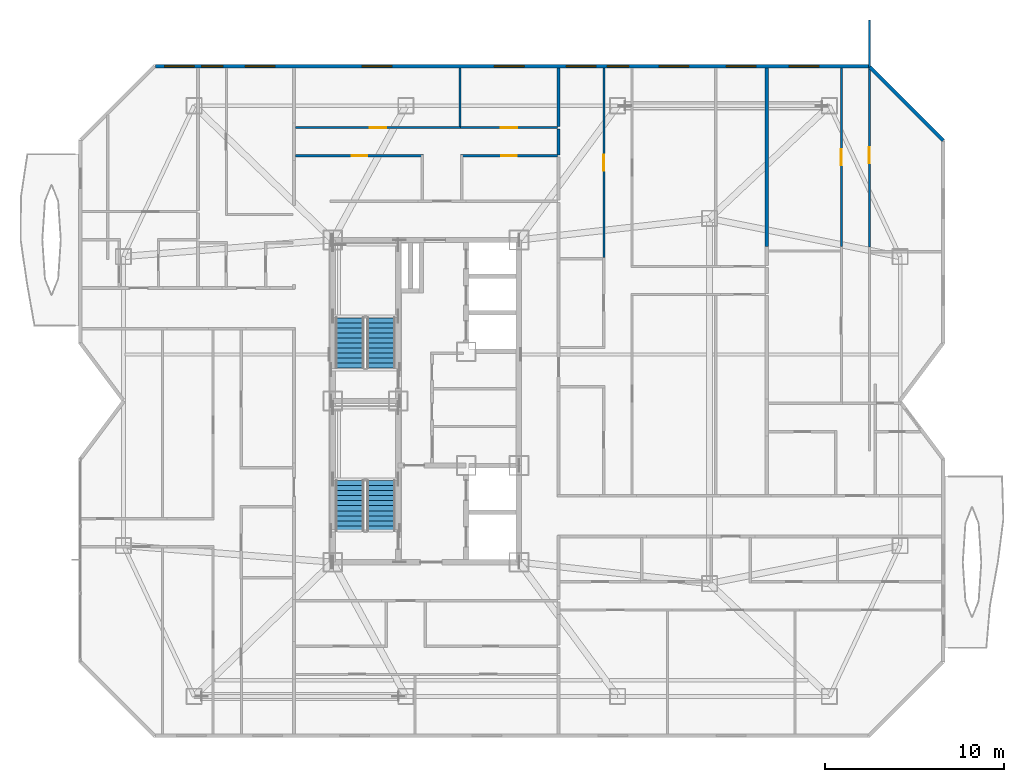
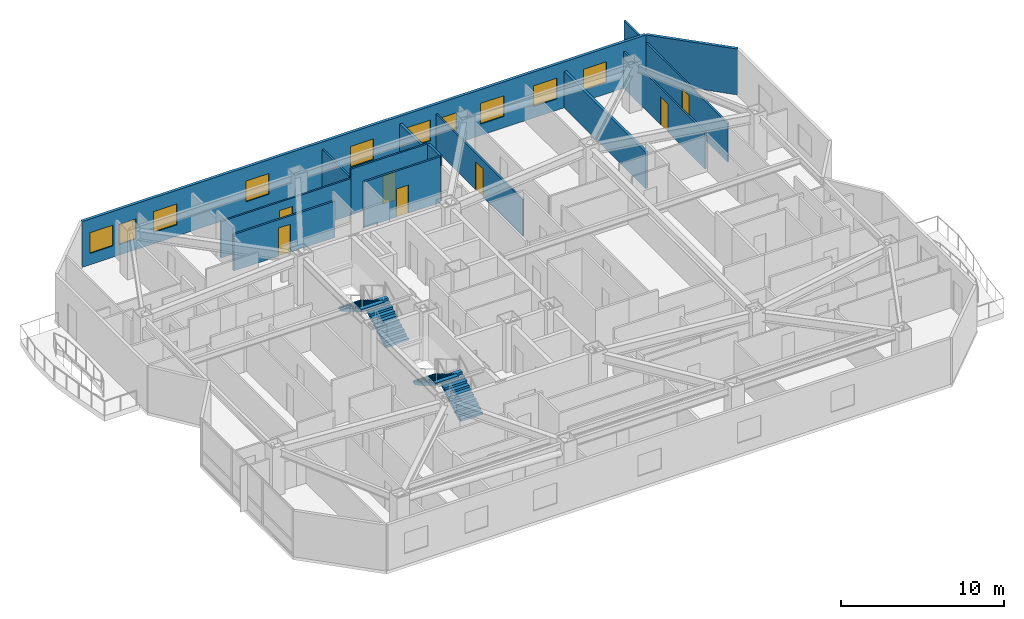
# One storey, part 14 of 16: 13 walls, 10 windows, 7 doors, 4 stair flights, 17 openings, 2 elements without a shape of their own.
"""IFC4 building model written with IfcOpenShell, lengths in metres."""

from ifc_helpers import new_model, si_unit, direction, frame, frame_2d, origin, place, context, subcontext, project, spatial, polyline, rectangle, outline, extrude, material, layer, layer_set, type_object, element, fill, aggregate, save


model = new_model("IFC4")

# Units and contexts
model_context = context("Model", 3, precision=1e-05, world=origin(), true_north=direction((0.0, 1.0)))
body_context = subcontext(model_context, "Body", "Model", "MODEL_VIEW")
ifc_project = project(units=[si_unit("LENGTHUNIT", "METRE"), si_unit("AREAUNIT", "SQUARE_METRE"), si_unit("VOLUMEUNIT", "CUBIC_METRE"), si_unit("PLANEANGLEUNIT", "RADIAN"), si_unit("MASSUNIT", "GRAM", prefix="KILO")], contexts=[model_context])

# Site, building, storey
site_placement = place(None, origin())
site = spatial("IfcSite", under=ifc_project, at=site_placement, CompositionType="ELEMENT")
building_placement = place(site_placement, origin())
building = spatial("IfcBuilding", under=site, at=building_placement, Name="Khamvora Tower", CompositionType="ELEMENT")
storey_placement = place(building_placement, frame((0.0, 0.0, 170.5)))
storey = spatial("IfcBuildingStorey", under=building, at=storey_placement, Name="L43", CompositionType="ELEMENT", Elevation=170.5)

# Walls
ifc_material_1 = material(Name="Acoustic Double-Stud Fire Wall", Category="gypsum")
ifc_layer_1 = layer(ifc_material_1, 0.179931640625)
ifc_layer_set_1 = layer_set([ifc_layer_1], Name="Acoustic Double-Stud Fire Wall")
wall_type_1 = type_object("IfcWallType", Name="WAL-CORR-180", PredefinedType="STANDARD", material=ifc_layer_set_1)
wall_1_placement = place(storey_placement, frame((41.614990234375, 43.2099609375, 0.0), z_axis=(0.0, 0.0, 1.0), x_axis=(0.0, -1.0, 0.0)))
element("IfcWall", 1, at=wall_1_placement, inside=storey, type_object=wall_type_1, Name="L43 interior partition wall 098", PredefinedType="STANDARD", context=body_context, shape_type="SweptSolid", body=[
    extrude(rectangle(XDim=1.449951171875, YDim=0.179931640625, at=frame_2d((0.72509765625, 0.0))), origin(), (0.0, 0.0, 1.0), 3.429931640625),
])
wall_2_placement = place(storey_placement, frame((41.614990234375, 46.60791015625, 0.0), z_axis=(0.0, 0.0, 1.0), x_axis=(0.0, -1.0, 0.0)))
element("IfcWall", 2, at=wall_2_placement, inside=storey, type_object=wall_type_1, Name="L43 interior partition wall 101", PredefinedType="STANDARD", context=body_context, shape_type="SweptSolid", body=[
    extrude(rectangle(XDim=3.267822265625, YDim=0.179931640625, at=frame_2d((1.6337890625, 0.0))), origin(), (0.0, 0.0, 1.0), 2.8759765625),
])
wall_3_placement = place(storey_placement, frame((53.240966796875, 46.60791015625, 0.0), z_axis=(0.0, 0.0, 1.0), x_axis=(0.0, -1.0, 0.0)))
element("IfcWall", 3, at=wall_3_placement, inside=storey, type_object=wall_type_1, Name="L43 interior partition wall 134", PredefinedType="STANDARD", context=body_context, shape_type="SweptSolid", body=[
    extrude(rectangle(XDim=9.972900390625, YDim=0.179931640625, at=frame_2d((4.986328125, 0.0))), origin(), (0.0, 0.0, 1.0), 2.72509765625),
])

# Wall, openings, windows
ifc_material_2 = material(Name="Precast concrete C40/50", Category="concrete")
ifc_layer_2 = layer(ifc_material_2, 0.199951171875)
ifc_layer_set_2 = layer_set([ifc_layer_2], Name="Precast concrete C40/50")
wall_type_2 = type_object("IfcWallType", Name="WAL-EXT-200", PredefinedType="STANDARD", material=ifc_layer_set_2)
wall_4_placement = place(storey_placement, frame((19.10205078125, 46.699951171875, 0.0), z_axis=(0.0, 0.0, 1.0), x_axis=(1.0, 0.0, 0.0)))
wall_4 = element("IfcWall", 4, at=wall_4_placement, inside=storey, type_object=wall_type_2, Name="L43 exterior facade wall 07.1", PredefinedType="STANDARD", context=body_context, shape_type="SweptSolid", body=[
    extrude(rectangle(XDim=39.85693359375, YDim=0.199951171875, at=frame_2d((19.928466796875, 0.0))), origin(), (0.0, 0.0, 1.0), 3.429931640625),
])
opening_1_placement = place(wall_4_placement, frame((0.50390625, 0.0, 0.85009765625)))
opening_1 = element("IfcOpeningElement", 5, at=opening_1_placement, cuts=wall_4, Name="Opening WN-06", PredefinedType="OPENING", context=body_context, shape_type="SweptSolid", body=[
    extrude(rectangle(XDim=1.64990234375, YDim=1.550048828125, at=frame_2d((0.824951171875, 0.77490234375))), frame((0.0, 0.10986328125, 0.0), z_axis=(0.0, -1.0, 0.0), x_axis=(1.0, 0.0, 0.0)), (0.0, 0.0, 1.0), 0.219970703125),
])
opening_2_placement = place(wall_4_placement, frame((2.56298828125, 0.0, 0.800048828125)))
opening_2 = element("IfcOpeningElement", 6, at=opening_2_placement, cuts=wall_4, Name="Opening WN-03", PredefinedType="OPENING", context=body_context, shape_type="SweptSolid", body=[
    extrude(rectangle(XDim=1.199951171875, YDim=1.5, at=frame_2d((0.60009765625, 0.75))), frame((0.0, 0.10986328125, 0.0), z_axis=(0.0, -1.0, 0.0), x_axis=(1.0, 0.0, 0.0)), (0.0, 0.0, 1.0), 0.219970703125),
])
opening_3_placement = place(wall_4_placement, frame((5.01806640625, 0.0, 0.85009765625)))
opening_3 = element("IfcOpeningElement", 7, at=opening_3_placement, cuts=wall_4, Name="Opening WN-06", PredefinedType="OPENING", context=body_context, shape_type="SweptSolid", body=[
    extrude(rectangle(XDim=1.64990234375, YDim=1.550048828125, at=frame_2d((0.824951171875, 0.77490234375))), frame((0.0, 0.10986328125, 0.0), z_axis=(0.0, -1.0, 0.0), x_axis=(1.0, 0.0, 0.0)), (0.0, 0.0, 1.0), 0.219970703125),
])
opening_4_placement = place(wall_4_placement, frame((11.5419921875, 0.0, 0.85009765625)))
opening_4 = element("IfcOpeningElement", 8, at=opening_4_placement, cuts=wall_4, Name="Opening WN-06", PredefinedType="OPENING", context=body_context, shape_type="SweptSolid", body=[
    extrude(rectangle(XDim=1.64990234375, YDim=1.550048828125, at=frame_2d((0.824951171875, 0.77490234375))), frame((0.0, 0.10986328125, 0.0), z_axis=(0.0, -1.0, 0.0), x_axis=(1.0, 0.0, 0.0)), (0.0, 0.0, 1.0), 0.219970703125),
])
opening_5_placement = place(wall_4_placement, frame((18.931884765625, 0.0, 0.85009765625)))
opening_5 = element("IfcOpeningElement", 9, at=opening_5_placement, cuts=wall_4, Name="Opening WN-06", PredefinedType="OPENING", context=body_context, shape_type="SweptSolid", body=[
    extrude(rectangle(XDim=1.64990234375, YDim=1.550048828125, at=frame_2d((0.824951171875, 0.77490234375))), frame((0.0, 0.10986328125, 0.0), z_axis=(0.0, -1.0, 0.0), x_axis=(1.0, 0.0, 0.0)), (0.0, 0.0, 1.0), 0.219970703125),
])
opening_6_placement = place(wall_4_placement, frame((22.952880859375, 0.0, 0.85009765625)))
opening_6 = element("IfcOpeningElement", 10, at=opening_6_placement, cuts=wall_4, Name="Opening WN-06", PredefinedType="OPENING", context=body_context, shape_type="SweptSolid", body=[
    extrude(rectangle(XDim=1.64990234375, YDim=1.550048828125, at=frame_2d((0.824951171875, 0.77490234375))), frame((0.0, 0.10986328125, 0.0), z_axis=(0.0, -1.0, 0.0), x_axis=(1.0, 0.0, 0.0)), (0.0, 0.0, 1.0), 0.219970703125),
])
opening_7_placement = place(wall_4_placement, frame((25.23291015625, 0.0, 0.800048828125)))
opening_7 = element("IfcOpeningElement", 11, at=opening_7_placement, cuts=wall_4, Name="Opening WN-03", PredefinedType="OPENING", context=body_context, shape_type="SweptSolid", body=[
    extrude(rectangle(XDim=1.199951171875, YDim=1.5, at=frame_2d((0.60009765625, 0.75))), frame((0.0, 0.10986328125, 0.0), z_axis=(0.0, -1.0, 0.0), x_axis=(1.0, 0.0, 0.0)), (0.0, 0.0, 1.0), 0.219970703125),
])
opening_8_placement = place(wall_4_placement, frame((28.135009765625, 0.0, 0.85009765625)))
opening_8 = element("IfcOpeningElement", 12, at=opening_8_placement, cuts=wall_4, Name="Opening WN-06", PredefinedType="OPENING", context=body_context, shape_type="SweptSolid", body=[
    extrude(rectangle(XDim=1.64990234375, YDim=1.550048828125, at=frame_2d((0.824951171875, 0.77490234375))), frame((0.0, 0.10986328125, 0.0), z_axis=(0.0, -1.0, 0.0), x_axis=(1.0, 0.0, 0.0)), (0.0, 0.0, 1.0), 0.219970703125),
])
opening_9_placement = place(wall_4_placement, frame((31.89306640625, 0.0, 0.85009765625)))
opening_9 = element("IfcOpeningElement", 13, at=opening_9_placement, cuts=wall_4, Name="Opening WN-06", PredefinedType="OPENING", context=body_context, shape_type="SweptSolid", body=[
    extrude(rectangle(XDim=1.64990234375, YDim=1.550048828125, at=frame_2d((0.824951171875, 0.77490234375))), frame((0.0, 0.10986328125, 0.0), z_axis=(0.0, -1.0, 0.0), x_axis=(1.0, 0.0, 0.0)), (0.0, 0.0, 1.0), 0.219970703125),
])
opening_10_placement = place(wall_4_placement, frame((35.39990234375, 0.0, 0.85009765625)))
opening_10 = element("IfcOpeningElement", 14, at=opening_10_placement, cuts=wall_4, Name="Opening WN-06", PredefinedType="OPENING", context=body_context, shape_type="SweptSolid", body=[
    extrude(rectangle(XDim=1.64990234375, YDim=1.550048828125, at=frame_2d((0.824951171875, 0.77490234375))), frame((0.0, 0.10986328125, 0.0), z_axis=(0.0, -1.0, 0.0), x_axis=(1.0, 0.0, 0.0)), (0.0, 0.0, 1.0), 0.219970703125),
])
ifc_material_3 = material(Name="Low-E Laminated Double Glazing", Category="glass")
window_type_1 = type_object("IfcWindowType", Name="WIN-VIS-1200x1500", PartitioningType="SINGLE_PANEL", PredefinedType="WINDOW", material=ifc_material_3)
window_1_placement = place(opening_2_placement, origin())
window_1 = element("IfcWindow", 15, at=window_1_placement, inside=storey, type_object=window_type_1, Name="L43 vision window 07.1.02", OverallHeight=1.5, OverallWidth=1.199951171875, PartitioningType="SINGLE_PANEL", PredefinedType="WINDOW", context=body_context, shape_type="SweptSolid", body=[
    extrude(rectangle(XDim=1.199951171875, YDim=1.5, at=frame_2d((0.60009765625, 0.75))), frame((0.0, 0.030029296875, 0.0), z_axis=(0.0, -1.0, 0.0), x_axis=(1.0, 0.0, 0.0)), (0.0, 0.0, 1.0), 0.06005859375),
])
fill(opening_2, window_1)
window_2_placement = place(opening_7_placement, origin())
window_2 = element("IfcWindow", 16, at=window_2_placement, inside=storey, type_object=window_type_1, Name="L43 vision window 07.1.07", OverallHeight=1.5, OverallWidth=1.199951171875, PartitioningType="SINGLE_PANEL", PredefinedType="WINDOW", context=body_context, shape_type="SweptSolid", body=[
    extrude(rectangle(XDim=1.199951171875, YDim=1.5, at=frame_2d((0.60009765625, 0.75))), frame((0.0, 0.030029296875, 0.0), z_axis=(0.0, -1.0, 0.0), x_axis=(1.0, 0.0, 0.0)), (0.0, 0.0, 1.0), 0.06005859375),
])
fill(opening_7, window_2)
window_type_2 = type_object("IfcWindowType", Name="WIN-VIS-1650x1550", PartitioningType="SINGLE_PANEL", PredefinedType="WINDOW", material=ifc_material_3)
window_3_placement = place(opening_1_placement, origin())
window_3 = element("IfcWindow", 17, at=window_3_placement, inside=storey, type_object=window_type_2, Name="L43 vision window 07.1.01", OverallHeight=1.550048828125, OverallWidth=1.64990234375, PartitioningType="SINGLE_PANEL", PredefinedType="WINDOW", context=body_context, shape_type="SweptSolid", body=[
    extrude(rectangle(XDim=1.64990234375, YDim=1.550048828125, at=frame_2d((0.824951171875, 0.77490234375))), frame((0.0, 0.030029296875, 0.0), z_axis=(0.0, -1.0, 0.0), x_axis=(1.0, 0.0, 0.0)), (0.0, 0.0, 1.0), 0.06005859375),
])
fill(opening_1, window_3)
window_4_placement = place(opening_3_placement, origin())
window_4 = element("IfcWindow", 18, at=window_4_placement, inside=storey, type_object=window_type_2, Name="L43 vision window 07.1.03", OverallHeight=1.550048828125, OverallWidth=1.64990234375, PartitioningType="SINGLE_PANEL", PredefinedType="WINDOW", context=body_context, shape_type="SweptSolid", body=[
    extrude(rectangle(XDim=1.64990234375, YDim=1.550048828125, at=frame_2d((0.824951171875, 0.77490234375))), frame((0.0, 0.030029296875, 0.0), z_axis=(0.0, -1.0, 0.0), x_axis=(1.0, 0.0, 0.0)), (0.0, 0.0, 1.0), 0.06005859375),
])
fill(opening_3, window_4)
window_5_placement = place(opening_4_placement, origin())
window_5 = element("IfcWindow", 19, at=window_5_placement, inside=storey, type_object=window_type_2, Name="L43 vision window 07.1.04", OverallHeight=1.550048828125, OverallWidth=1.64990234375, PartitioningType="SINGLE_PANEL", PredefinedType="WINDOW", context=body_context, shape_type="SweptSolid", body=[
    extrude(rectangle(XDim=1.64990234375, YDim=1.550048828125, at=frame_2d((0.824951171875, 0.77490234375))), frame((0.0, 0.030029296875, 0.0), z_axis=(0.0, -1.0, 0.0), x_axis=(1.0, 0.0, 0.0)), (0.0, 0.0, 1.0), 0.06005859375),
])
fill(opening_4, window_5)
window_6_placement = place(opening_5_placement, origin())
window_6 = element("IfcWindow", 20, at=window_6_placement, inside=storey, type_object=window_type_2, Name="L43 vision window 07.1.05", OverallHeight=1.550048828125, OverallWidth=1.64990234375, PartitioningType="SINGLE_PANEL", PredefinedType="WINDOW", context=body_context, shape_type="SweptSolid", body=[
    extrude(rectangle(XDim=1.64990234375, YDim=1.550048828125, at=frame_2d((0.824951171875, 0.77490234375))), frame((0.0, 0.030029296875, 0.0), z_axis=(0.0, -1.0, 0.0), x_axis=(1.0, 0.0, 0.0)), (0.0, 0.0, 1.0), 0.06005859375),
])
fill(opening_5, window_6)
window_7_placement = place(opening_6_placement, origin())
window_7 = element("IfcWindow", 21, at=window_7_placement, inside=storey, type_object=window_type_2, Name="L43 vision window 07.1.06", OverallHeight=1.550048828125, OverallWidth=1.64990234375, PartitioningType="SINGLE_PANEL", PredefinedType="WINDOW", context=body_context, shape_type="SweptSolid", body=[
    extrude(rectangle(XDim=1.64990234375, YDim=1.550048828125, at=frame_2d((0.824951171875, 0.77490234375))), frame((0.0, 0.030029296875, 0.0), z_axis=(0.0, -1.0, 0.0), x_axis=(1.0, 0.0, 0.0)), (0.0, 0.0, 1.0), 0.06005859375),
])
fill(opening_6, window_7)
window_8_placement = place(opening_8_placement, origin())
window_8 = element("IfcWindow", 22, at=window_8_placement, inside=storey, type_object=window_type_2, Name="L43 vision window 07.1.08", OverallHeight=1.550048828125, OverallWidth=1.64990234375, PartitioningType="SINGLE_PANEL", PredefinedType="WINDOW", context=body_context, shape_type="SweptSolid", body=[
    extrude(rectangle(XDim=1.64990234375, YDim=1.550048828125, at=frame_2d((0.824951171875, 0.77490234375))), frame((0.0, 0.030029296875, 0.0), z_axis=(0.0, -1.0, 0.0), x_axis=(1.0, 0.0, 0.0)), (0.0, 0.0, 1.0), 0.06005859375),
])
fill(opening_8, window_8)
window_9_placement = place(opening_9_placement, origin())
window_9 = element("IfcWindow", 23, at=window_9_placement, inside=storey, type_object=window_type_2, Name="L43 vision window 07.1.09", OverallHeight=1.550048828125, OverallWidth=1.64990234375, PartitioningType="SINGLE_PANEL", PredefinedType="WINDOW", context=body_context, shape_type="SweptSolid", body=[
    extrude(rectangle(XDim=1.64990234375, YDim=1.550048828125, at=frame_2d((0.824951171875, 0.77490234375))), frame((0.0, 0.030029296875, 0.0), z_axis=(0.0, -1.0, 0.0), x_axis=(1.0, 0.0, 0.0)), (0.0, 0.0, 1.0), 0.06005859375),
])
fill(opening_9, window_9)
window_10_placement = place(opening_10_placement, origin())
window_10 = element("IfcWindow", 24, at=window_10_placement, inside=storey, type_object=window_type_2, Name="L43 vision window 07.1.10", OverallHeight=1.550048828125, OverallWidth=1.64990234375, PartitioningType="SINGLE_PANEL", PredefinedType="WINDOW", context=body_context, shape_type="SweptSolid", body=[
    extrude(rectangle(XDim=1.64990234375, YDim=1.550048828125, at=frame_2d((0.824951171875, 0.77490234375))), frame((0.0, 0.030029296875, 0.0), z_axis=(0.0, -1.0, 0.0), x_axis=(1.0, 0.0, 0.0)), (0.0, 0.0, 1.0), 0.06005859375),
])
fill(opening_10, window_10)

# Wall
wall_5_placement = place(storey_placement, frame((59.0029296875, 46.656005859375, 0.0), z_axis=(0.0, 0.0, 1.0), x_axis=(0.707127848917, -0.707085712828, 0.0)))
element("IfcWall", 25, at=wall_5_placement, inside=storey, type_object=wall_type_2, Name="L43 exterior facade wall 08.1", PredefinedType="STANDARD", context=body_context, shape_type="SweptSolid", body=[
    extrude(rectangle(XDim=5.794189453125, YDim=0.199951171875, at=frame_2d((2.89697265625, 0.0))), origin(), (0.0, 0.0, 1.0), 3.429931640625),
])

# Wall, opening, door
ifc_material_4 = material(Name="Gypsum Plasterboard Partition", Category="gypsum")
ifc_layer_3 = layer(ifc_material_4, 0.1201171875)
ifc_layer_set_3 = layer_set([ifc_layer_3], Name="Gypsum Plasterboard Partition")
wall_type_3 = type_object("IfcWallType", Name="WAL-PART-120", PredefinedType="PARTITIONING", material=ifc_layer_set_3)
wall_6_placement = place(storey_placement, frame((26.9169921875, 43.27490234375, 0.0), z_axis=(0.0, 0.0, 1.0), x_axis=(1.0, 0.0, 0.0)))
wall_6 = element("IfcWall", 26, at=wall_6_placement, inside=storey, type_object=wall_type_3, Name="L43 interior partition wall 096", PredefinedType="PARTITIONING", context=body_context, shape_type="SweptSolid", body=[
    extrude(rectangle(XDim=9.217041015625, YDim=0.1201171875, at=frame_2d((4.6083984375, 0.0))), origin(), (0.0, 0.0, 1.0), 2.72509765625),
])
opening_11_placement = place(wall_6_placement, frame((4.158935546875, 0.0, 0.0)))
opening_11 = element("IfcOpeningElement", 27, at=opening_11_placement, cuts=wall_6, Name="Opening D-RM1", PredefinedType="OPENING", context=body_context, shape_type="SweptSolid", body=[
    extrude(rectangle(XDim=0.89990234375, YDim=2.10009765625, at=frame_2d((0.449951171875, 1.050048828125))), frame((0.0, 0.070068359375, 0.0), z_axis=(0.0, -1.0, 0.0), x_axis=(1.0, 0.0, 0.0)), (0.0, 0.0, 1.0), 0.14013671875),
])
ifc_material_5 = material(Name="Powder-Coated Steel and Hardwood Leaf", Category="steel")
door_type_1 = type_object("IfcDoorType", Name="DOR-ROOM-900", OperationType="NOTDEFINED", PredefinedType="DOOR", material=ifc_material_5)
door_1_placement = place(opening_11_placement, origin())
door_1 = element("IfcDoor", 28, at=door_1_placement, inside=storey, type_object=door_type_1, Name="L43 interior door 43NAH-43NAL", OperationType="SINGLE_SWING_LEFT", OverallHeight=2.10009765625, OverallWidth=0.89990234375, PredefinedType="DOOR", context=body_context, shape_type="SweptSolid", body=[
    extrude(rectangle(XDim=0.89990234375, YDim=2.10009765625, at=frame_2d((0.449951171875, 1.050048828125))), frame((0.0, 0.02490234375, 0.0), z_axis=(0.0, -1.0, 0.0), x_axis=(1.0, 0.0, 0.0)), (0.0, 0.0, 1.0), 0.050048828125),
])
fill(opening_11, door_1)

wall_7_placement = place(storey_placement, frame((36.134033203125, 43.27490234375, 0.0), z_axis=(0.0, 0.0, 1.0), x_axis=(1.0, 0.0, 0.0)))
wall_7 = element("IfcWall", 29, at=wall_7_placement, inside=storey, type_object=wall_type_3, Name="L43 interior partition wall 097", PredefinedType="PARTITIONING", context=body_context, shape_type="SweptSolid", body=[
    extrude(rectangle(XDim=5.416015625, YDim=0.1201171875, at=frame_2d((2.7080078125, 0.0))), origin(), (0.0, 0.0, 1.0), 3.429931640625),
])
opening_12_placement = place(wall_7_placement, frame((2.258056640625, 0.0, 0.0)))
opening_12 = element("IfcOpeningElement", 30, at=opening_12_placement, cuts=wall_7, Name="Opening D-RM1", PredefinedType="OPENING", context=body_context, shape_type="SweptSolid", body=[
    extrude(rectangle(XDim=0.89990234375, YDim=2.10009765625, at=frame_2d((0.449951171875, 1.050048828125))), frame((0.0, 0.070068359375, 0.0), z_axis=(0.0, -1.0, 0.0), x_axis=(1.0, 0.0, 0.0)), (0.0, 0.0, 1.0), 0.14013671875),
])
door_2_placement = place(opening_12_placement, origin())
door_2 = element("IfcDoor", 31, at=door_2_placement, inside=storey, type_object=door_type_1, Name="L43 interior door 43NAH-43NAR2", OperationType="SINGLE_SWING_LEFT", OverallHeight=2.10009765625, OverallWidth=0.89990234375, PredefinedType="DOOR", context=body_context, shape_type="SweptSolid", body=[
    extrude(rectangle(XDim=0.89990234375, YDim=2.10009765625, at=frame_2d((0.449951171875, 1.050048828125))), frame((0.0, 0.02490234375, 0.0), z_axis=(0.0, -1.0, 0.0), x_axis=(1.0, 0.0, 0.0)), (0.0, 0.0, 1.0), 0.050048828125),
])
fill(opening_12, door_2)

# Wall
wall_8_placement = place(storey_placement, frame((36.10400390625, 46.60791015625, 0.0), z_axis=(0.0, 0.0, 1.0), x_axis=(0.0, -1.0, 0.0)))
element("IfcWall", 32, at=wall_8_placement, inside=storey, type_object=wall_type_3, Name="L43 interior partition wall 100", PredefinedType="PARTITIONING", context=body_context, shape_type="SweptSolid", body=[
    extrude(rectangle(XDim=3.27880859375, YDim=0.1201171875, at=frame_2d((1.639404296875, 0.0))), origin(), (0.0, 0.0, 1.0), 2.8759765625),
])

# Wall, opening, door
wall_9_placement = place(storey_placement, frame((44.14501953125, 46.60791015625, 0.0), z_axis=(0.0, 0.0, 1.0), x_axis=(0.0, -1.0, 0.0)))
wall_9 = element("IfcWall", 33, at=wall_9_placement, inside=storey, type_object=wall_type_3, Name="L43 interior partition wall 115", PredefinedType="PARTITIONING", context=body_context, shape_type="SweptSolid", body=[
    extrude(rectangle(XDim=10.5869140625, YDim=0.1201171875, at=frame_2d((5.29345703125, 0.0))), origin(), (0.0, 0.0, 1.0), 2.72509765625),
])
opening_13_placement = place(wall_9_placement, frame((4.843017578125, 0.0, 0.0)))
opening_13 = element("IfcOpeningElement", 34, at=opening_13_placement, cuts=wall_9, Name="Opening D-RM1", PredefinedType="OPENING", context=body_context, shape_type="SweptSolid", body=[
    extrude(rectangle(XDim=0.89990234375, YDim=2.10009765625, at=frame_2d((0.449951171875, 1.050048828125))), frame((0.0, 0.070068359375, 0.0), z_axis=(0.0, -1.0, 0.0), x_axis=(1.0, 0.0, 0.0)), (0.0, 0.0, 1.0), 0.14013671875),
])
door_3_placement = place(opening_13_placement, origin())
door_3 = element("IfcDoor", 35, at=door_3_placement, inside=storey, type_object=door_type_1, Name="L43 interior door 43EB1W2-43EB1H", OperationType="SINGLE_SWING_LEFT", OverallHeight=2.10009765625, OverallWidth=0.89990234375, PredefinedType="DOOR", context=body_context, shape_type="SweptSolid", body=[
    extrude(rectangle(XDim=0.89990234375, YDim=2.10009765625, at=frame_2d((0.449951171875, 1.050048828125))), frame((0.0, 0.02490234375, 0.0), z_axis=(0.0, -1.0, 0.0), x_axis=(1.0, 0.0, 0.0)), (0.0, 0.0, 1.0), 0.050048828125),
])
fill(opening_13, door_3)

wall_10_placement = place(storey_placement, frame((57.4130859375, 36.635009765625, 0.0), z_axis=(0.0, 0.0, 1.0), x_axis=(0.0, 1.0, 0.0)))
wall_10 = element("IfcWall", 36, at=wall_10_placement, inside=storey, type_object=wall_type_3, Name="L43 interior partition wall 141", PredefinedType="PARTITIONING", context=body_context, shape_type="SweptSolid", body=[
    extrude(rectangle(XDim=9.972900390625, YDim=0.1201171875, at=frame_2d((4.986328125, 0.0))), origin(), (0.0, 0.0, 1.0), 2.72509765625),
])
opening_14_placement = place(wall_10_placement, frame((4.537109375, 0.0, 0.0)))
opening_14 = element("IfcOpeningElement", 37, at=opening_14_placement, cuts=wall_10, Name="Opening D-RM1", PredefinedType="OPENING", context=body_context, shape_type="SweptSolid", body=[
    extrude(rectangle(XDim=0.89990234375, YDim=2.10009765625, at=frame_2d((0.449951171875, 1.050048828125))), frame((0.0, 0.070068359375, 0.0), z_axis=(0.0, -1.0, 0.0), x_axis=(1.0, 0.0, 0.0)), (0.0, 0.0, 1.0), 0.14013671875),
])
door_4_placement = place(opening_14_placement, origin())
door_4 = element("IfcDoor", 38, at=door_4_placement, inside=storey, type_object=door_type_1, Name="L43 interior door 43EB2H-43EB2R2", OperationType="SINGLE_SWING_LEFT", OverallHeight=2.10009765625, OverallWidth=0.89990234375, PredefinedType="DOOR", context=body_context, shape_type="SweptSolid", body=[
    extrude(rectangle(XDim=0.89990234375, YDim=2.10009765625, at=frame_2d((0.449951171875, 1.050048828125))), frame((0.0, 0.02490234375, 0.0), z_axis=(0.0, -1.0, 0.0), x_axis=(1.0, 0.0, 0.0)), (0.0, 0.0, 1.0), 0.050048828125),
])
fill(opening_14, door_4)

wall_11_placement = place(storey_placement, frame((58.98291015625, 49.2900390625, 0.0), z_axis=(0.0, 0.0, 1.0), x_axis=(0.0, -1.0, 0.0)))
wall_11 = element("IfcWall", 39, at=wall_11_placement, inside=storey, type_object=wall_type_3, Name="L43 interior partition wall 144", PredefinedType="PARTITIONING", context=body_context, shape_type="SweptSolid", body=[
    extrude(rectangle(XDim=12.697021484375, YDim=0.1201171875, at=frame_2d((6.3486328125, 0.0))), origin(), (0.0, 0.0, 1.0), 2.8759765625),
])
opening_15_placement = place(wall_11_placement, frame((7.10888671875, 0.0, 0.0)))
opening_15 = element("IfcOpeningElement", 40, at=opening_15_placement, cuts=wall_11, Name="Opening D-RM1", PredefinedType="OPENING", context=body_context, shape_type="SweptSolid", body=[
    extrude(rectangle(XDim=0.89990234375, YDim=2.10009765625, at=frame_2d((0.449951171875, 1.050048828125))), frame((0.0, 0.070068359375, 0.0), z_axis=(0.0, -1.0, 0.0), x_axis=(1.0, 0.0, 0.0)), (0.0, 0.0, 1.0), 0.14013671875),
])
door_5_placement = place(opening_15_placement, origin())
door_5 = element("IfcDoor", 41, at=door_5_placement, inside=storey, type_object=door_type_1, Name="L43 interior door 43EB2H-43EB2R4", OperationType="SINGLE_SWING_LEFT", OverallHeight=2.10009765625, OverallWidth=0.89990234375, PredefinedType="DOOR", context=body_context, shape_type="SweptSolid", body=[
    extrude(rectangle(XDim=0.89990234375, YDim=2.10009765625, at=frame_2d((0.449951171875, 1.050048828125))), frame((0.0, 0.02490234375, 0.0), z_axis=(0.0, -1.0, 0.0), x_axis=(1.0, 0.0, 0.0)), (0.0, 0.0, 1.0), 0.050048828125),
])
fill(opening_15, door_5)

ifc_material_6 = material(Name="Moisture-Resistant Plasterboard Partition", Category="gypsum")
ifc_layer_4 = layer(ifc_material_6, 0.135009765625)
ifc_layer_set_4 = layer_set([ifc_layer_4], Name="Moisture-Resistant Plasterboard Partition")
wall_type_4 = type_object("IfcWallType", Name="WAL-WET-135", PredefinedType="PARTITIONING", material=ifc_layer_set_4)
wall_12_placement = place(storey_placement, frame((41.550048828125, 41.695068359375, 0.0), z_axis=(0.0, 0.0, 1.0), x_axis=(-1.0, 0.0, 0.0)))
wall_12 = element("IfcWall", 42, at=wall_12_placement, inside=storey, type_object=wall_type_4, Name="L43 interior partition wall 092", PredefinedType="PARTITIONING", context=body_context, shape_type="SweptSolid", body=[
    extrude(rectangle(XDim=5.416015625, YDim=0.135009765625, at=frame_2d((2.7080078125, 0.0))), origin(), (0.0, 0.0, 1.0), 3.429931640625),
])
opening_16_placement = place(wall_12_placement, frame((2.282958984375, 0.0, 0.0)))
opening_16 = element("IfcOpeningElement", 43, at=opening_16_placement, cuts=wall_12, Name="Opening D-WC1", PredefinedType="OPENING", context=body_context, shape_type="SweptSolid", body=[
    extrude(rectangle(XDim=0.85009765625, YDim=2.10009765625, at=frame_2d((0.425048828125, 1.050048828125))), frame((0.0, 0.077392578125, 0.0), z_axis=(0.0, -1.0, 0.0), x_axis=(1.0, 0.0, 0.0)), (0.0, 0.0, 1.0), 0.155029296875),
])
door_type_2 = type_object("IfcDoorType", Name="DOR-WET-850", OperationType="NOTDEFINED", PredefinedType="DOOR", material=ifc_material_5)
door_6_placement = place(opening_16_placement, origin())
door_6 = element("IfcDoor", 44, at=door_6_placement, inside=storey, type_object=door_type_2, Name="L43 interior door 43NAH-43NAB", OperationType="SINGLE_SWING_RIGHT", OverallHeight=2.10009765625, OverallWidth=0.85009765625, PredefinedType="DOOR", context=body_context, shape_type="SweptSolid", body=[
    extrude(rectangle(XDim=0.85009765625, YDim=2.10009765625, at=frame_2d((0.425048828125, 1.050048828125))), frame((0.0, 0.02490234375, 0.0), z_axis=(0.0, -1.0, 0.0), x_axis=(1.0, 0.0, 0.0)), (0.0, 0.0, 1.0), 0.050048828125),
])
fill(opening_16, door_6)

wall_13_placement = place(storey_placement, frame((34.06396484375, 41.695068359375, 0.0), z_axis=(0.0, 0.0, 1.0), x_axis=(-1.0, 0.0, 0.0)))
wall_13 = element("IfcWall", 45, at=wall_13_placement, inside=storey, type_object=wall_type_4, Name="L43 interior partition wall 095", PredefinedType="PARTITIONING", context=body_context, shape_type="SweptSolid", body=[
    extrude(rectangle(XDim=7.14697265625, YDim=0.135009765625, at=frame_2d((3.573486328125, 0.0))), origin(), (0.0, 0.0, 1.0), 2.72509765625),
])
opening_17_placement = place(wall_13_placement, frame((3.14892578125, 0.0, 0.0)))
opening_17 = element("IfcOpeningElement", 46, at=opening_17_placement, cuts=wall_13, Name="Opening D-RM2", PredefinedType="OPENING", context=body_context, shape_type="SweptSolid", body=[
    extrude(rectangle(XDim=0.85009765625, YDim=2.10009765625, at=frame_2d((0.425048828125, 1.050048828125))), frame((0.0, 0.077392578125, 0.0), z_axis=(0.0, -1.0, 0.0), x_axis=(1.0, 0.0, 0.0)), (0.0, 0.0, 1.0), 0.155029296875),
])
door_type_3 = type_object("IfcDoorType", Name="DOR-ROOM-850", OperationType="NOTDEFINED", PredefinedType="DOOR", material=ifc_material_5)
door_7_placement = place(opening_17_placement, origin())
door_7 = element("IfcDoor", 47, at=door_7_placement, inside=storey, type_object=door_type_3, Name="L43 interior door 43NAH-43NAK", OperationType="SINGLE_SWING_LEFT", OverallHeight=2.10009765625, OverallWidth=0.85009765625, PredefinedType="DOOR", context=body_context, shape_type="SweptSolid", body=[
    extrude(rectangle(XDim=0.85009765625, YDim=2.10009765625, at=frame_2d((0.425048828125, 1.050048828125))), frame((0.0, 0.02490234375, 0.0), z_axis=(0.0, -1.0, 0.0), x_axis=(1.0, 0.0, 0.0)), (0.0, 0.0, 1.0), 0.050048828125),
])
fill(opening_17, door_7)

# Stair, stair flights
ifc_material_7 = material(Name="Concrete C40/50", Category="concrete")
stair_type_1 = type_object("IfcStairType", Name="STR-ST-01", PredefinedType="HALF_TURN_STAIR", material=ifc_material_7)
stair_1_placement = place(storey_placement, origin())
stair_1 = element("IfcStair", 48, at=stair_1_placement, inside=storey, type_object=stair_type_1, Name="L43 South Tower Exit Stair ST-01", PredefinedType="HALF_TURN_STAIR")
stair_flight_type_1 = type_object("IfcStairFlightType", Name="STF-ST-01", PredefinedType="STRAIGHT", material=ifc_material_7)
stair_flight_1_placement = place(storey_placement, frame((31.699951171875, 20.75, 0.0), z_axis=(0.0, 0.0, 1.0), x_axis=(0.0, 1.0, 0.0)))
stair_flight_1 = element("IfcStairFlight", 49, at=stair_flight_1_placement, type_object=stair_flight_type_1, Name="ST-01 flight 1", NumberOfRisers=11, NumberOfTreads=10, PredefinedType="STRAIGHT", RiserHeight=0.165909091, TreadLength=0.28, context=body_context, shape_type="SweptSolid", body=[
    extrude(outline(polyline([(0.0, 0.0), (0.0, 0.166015625), (0.280029296875, 0.166015625), (0.280029296875, 0.331787109375), (0.56005859375, 0.331787109375), (0.56005859375, 0.497802734375), (0.840087890625, 0.497802734375), (0.840087890625, 0.66357421875), (1.1201171875, 0.66357421875), (1.1201171875, 0.82958984375), (1.39990234375, 0.82958984375), (1.39990234375, 0.995361328125), (1.679931640625, 0.995361328125), (1.679931640625, 1.161376953125), (1.9599609375, 1.161376953125), (1.9599609375, 1.327392578125), (2.239990234375, 1.327392578125), (2.239990234375, 1.4931640625), (2.52001953125, 1.4931640625), (2.52001953125, 1.6591796875), (2.800048828125, 1.6591796875), (2.800048828125, 1.824951171875), (2.800048828125, 1.48486328125), (0.2939453125, 0.0), (0.0, 0.0)])), frame((0.0, 0.800048828125, 0.0), z_axis=(0.0, -1.0, 0.0), x_axis=(1.0, 0.0, 0.0)), (0.0, 0.0, 1.0), 1.60009765625),
])
stair_flight_2_placement = place(storey_placement, frame((29.949951171875, 23.550048828125, 1.824951171875), z_axis=(0.0, 0.0, 1.0), x_axis=(0.0, -1.0, 0.0)))
stair_flight_2 = element("IfcStairFlight", 50, at=stair_flight_2_placement, type_object=stair_flight_type_1, Name="ST-01 flight 2", NumberOfRisers=11, NumberOfTreads=10, PredefinedType="STRAIGHT", RiserHeight=0.165909091, TreadLength=0.28, context=body_context, shape_type="SweptSolid", body=[
    extrude(outline(polyline([(0.0, 0.0), (0.0, 0.166015625), (0.280029296875, 0.166015625), (0.280029296875, 0.331787109375), (0.56005859375, 0.331787109375), (0.56005859375, 0.497802734375), (0.840087890625, 0.497802734375), (0.840087890625, 0.66357421875), (1.1201171875, 0.66357421875), (1.1201171875, 0.82958984375), (1.39990234375, 0.82958984375), (1.39990234375, 0.995361328125), (1.679931640625, 0.995361328125), (1.679931640625, 1.161376953125), (1.9599609375, 1.161376953125), (1.9599609375, 1.327392578125), (2.239990234375, 1.327392578125), (2.239990234375, 1.4931640625), (2.52001953125, 1.4931640625), (2.52001953125, 1.6591796875), (2.800048828125, 1.6591796875), (2.800048828125, 1.824951171875), (2.800048828125, 1.48486328125), (0.2939453125, 0.0), (0.0, 0.0)])), frame((0.0, 0.800048828125, 0.0), z_axis=(0.0, -1.0, 0.0), x_axis=(1.0, 0.0, 0.0)), (0.0, 0.0, 1.0), 1.60009765625),
])
aggregate(stair_1, [stair_flight_1, stair_flight_2])

stair_type_2 = type_object("IfcStairType", Name="STR-ST-02", PredefinedType="HALF_TURN_STAIR", material=ifc_material_7)
stair_2_placement = place(storey_placement, origin())
stair_2 = element("IfcStair", 51, at=stair_2_placement, inside=storey, type_object=stair_type_2, Name="L43 North Tower Exit Stair ST-02", PredefinedType="HALF_TURN_STAIR")
stair_flight_type_2 = type_object("IfcStairFlightType", Name="STF-ST-02", PredefinedType="STRAIGHT", material=ifc_material_7)
stair_flight_3_placement = place(storey_placement, frame((31.699951171875, 29.85009765625, 0.0), z_axis=(0.0, 0.0, 1.0), x_axis=(0.0, 1.0, 0.0)))
stair_flight_3 = element("IfcStairFlight", 52, at=stair_flight_3_placement, type_object=stair_flight_type_2, Name="ST-02 flight 1", NumberOfRisers=11, NumberOfTreads=10, PredefinedType="STRAIGHT", RiserHeight=0.165909091, TreadLength=0.28, context=body_context, shape_type="SweptSolid", body=[
    extrude(outline(polyline([(0.0, 0.0), (0.0, 0.166015625), (0.280029296875, 0.166015625), (0.280029296875, 0.331787109375), (0.56005859375, 0.331787109375), (0.56005859375, 0.497802734375), (0.840087890625, 0.497802734375), (0.840087890625, 0.66357421875), (1.1201171875, 0.66357421875), (1.1201171875, 0.82958984375), (1.39990234375, 0.82958984375), (1.39990234375, 0.995361328125), (1.679931640625, 0.995361328125), (1.679931640625, 1.161376953125), (1.9599609375, 1.161376953125), (1.9599609375, 1.327392578125), (2.239990234375, 1.327392578125), (2.239990234375, 1.4931640625), (2.52001953125, 1.4931640625), (2.52001953125, 1.6591796875), (2.800048828125, 1.6591796875), (2.800048828125, 1.824951171875), (2.800048828125, 1.48486328125), (0.2939453125, 0.0), (0.0, 0.0)])), frame((0.0, 0.800048828125, 0.0), z_axis=(0.0, -1.0, 0.0), x_axis=(1.0, 0.0, 0.0)), (0.0, 0.0, 1.0), 1.60009765625),
])
stair_flight_4_placement = place(storey_placement, frame((29.949951171875, 32.64990234375, 1.824951171875), z_axis=(0.0, 0.0, 1.0), x_axis=(0.0, -1.0, 0.0)))
stair_flight_4 = element("IfcStairFlight", 53, at=stair_flight_4_placement, type_object=stair_flight_type_2, Name="ST-02 flight 2", NumberOfRisers=11, NumberOfTreads=10, PredefinedType="STRAIGHT", RiserHeight=0.165909091, TreadLength=0.28, context=body_context, shape_type="SweptSolid", body=[
    extrude(outline(polyline([(0.0, 0.0), (0.0, 0.166015625), (0.280029296875, 0.166015625), (0.280029296875, 0.331787109375), (0.56005859375, 0.331787109375), (0.56005859375, 0.497802734375), (0.840087890625, 0.497802734375), (0.840087890625, 0.66357421875), (1.1201171875, 0.66357421875), (1.1201171875, 0.82958984375), (1.39990234375, 0.82958984375), (1.39990234375, 0.995361328125), (1.679931640625, 0.995361328125), (1.679931640625, 1.161376953125), (1.9599609375, 1.161376953125), (1.9599609375, 1.327392578125), (2.239990234375, 1.327392578125), (2.239990234375, 1.4931640625), (2.52001953125, 1.4931640625), (2.52001953125, 1.6591796875), (2.800048828125, 1.6591796875), (2.800048828125, 1.824951171875), (2.800048828125, 1.48486328125), (0.2939453125, 0.0), (0.0, 0.0)])), frame((0.0, 0.800048828125, 0.0), z_axis=(0.0, -1.0, 0.0), x_axis=(1.0, 0.0, 0.0)), (0.0, 0.0, 1.0), 1.60009765625),
])
aggregate(stair_2, [stair_flight_3, stair_flight_4])

save(model, "model.ifc")
